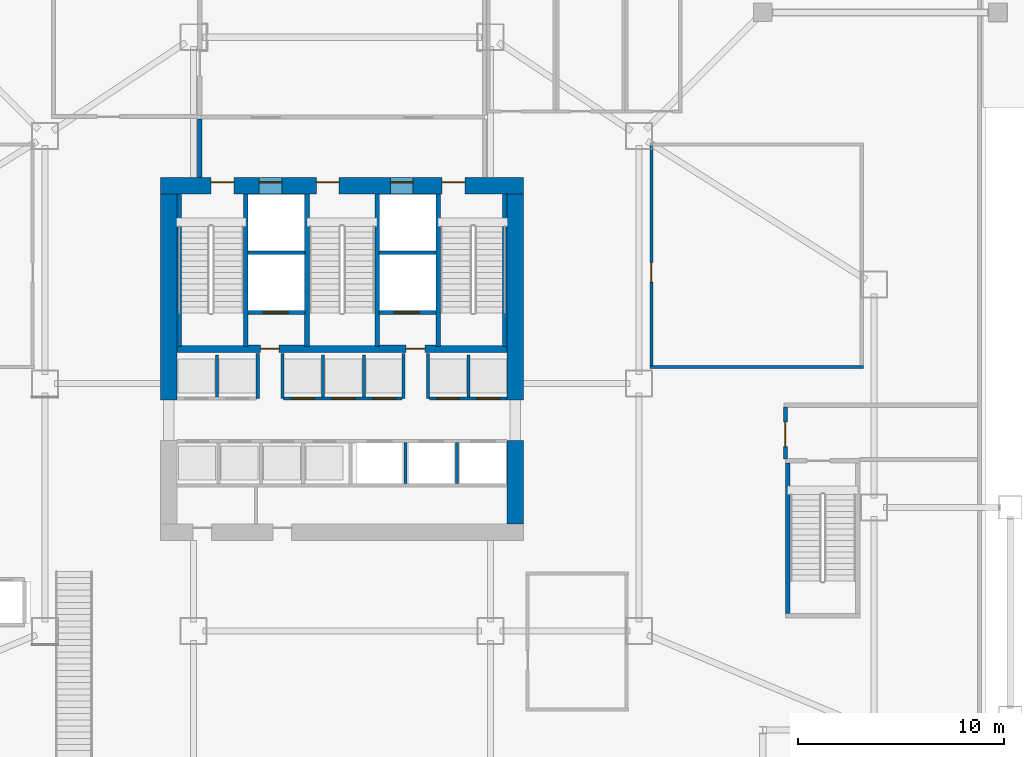
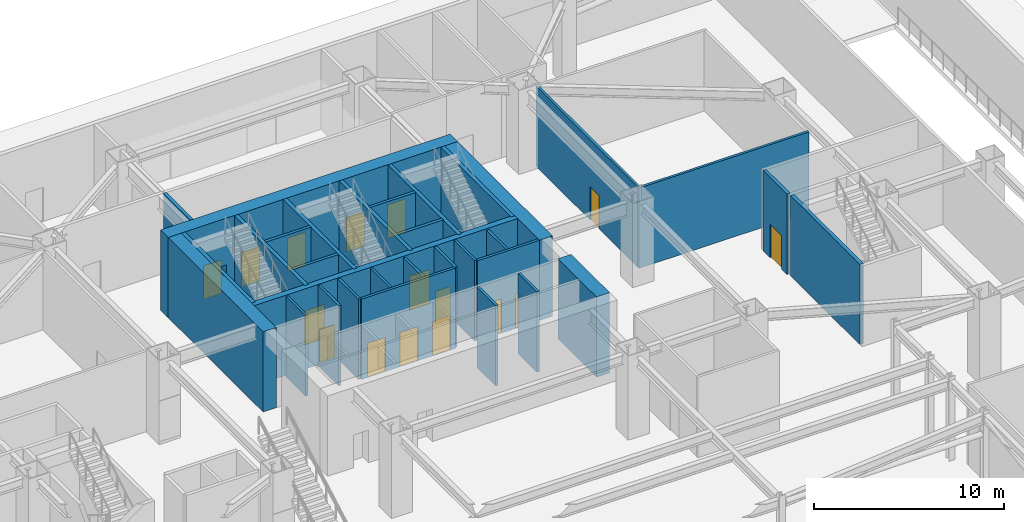
# One storey, part 11 of 20: 32 walls, 16 doors, 16 openings.
"""IFC4 building model written with IfcOpenShell, lengths in metres."""

from ifc_helpers import new_model, si_unit, direction, frame, frame_2d, origin, place, context, subcontext, project, spatial, rectangle, extrude, material, layer, layer_set, type_object, element, fill, save


model = new_model("IFC4")

# Units and contexts
model_context = context("Model", 3, precision=1e-05, world=origin(), true_north=direction((0.0, 1.0)))
body_context = subcontext(model_context, "Body", "Model", "MODEL_VIEW")
ifc_project = project(units=[si_unit("LENGTHUNIT", "METRE"), si_unit("AREAUNIT", "SQUARE_METRE"), si_unit("VOLUMEUNIT", "CUBIC_METRE"), si_unit("PLANEANGLEUNIT", "RADIAN"), si_unit("MASSUNIT", "GRAM", prefix="KILO")], contexts=[model_context])

# Site, building, storey
site_placement = place(None, origin())
site = spatial("IfcSite", under=ifc_project, at=site_placement, CompositionType="ELEMENT")
building_placement = place(site_placement, origin())
building = spatial("IfcBuilding", under=site, at=building_placement, Name="Haolan Belvedere Tower", CompositionType="ELEMENT")
storey_placement = place(building_placement, origin())
storey = spatial("IfcBuildingStorey", under=building, at=storey_placement, Name="L00", CompositionType="ELEMENT", Elevation=0.0)

# Wall, openings, doors
ifc_material_1 = material(Name="Concrete C70/85", Category="concrete")
ifc_layer_1 = layer(ifc_material_1, 0.800048828125, Name="Concrete C70/85")
ifc_layer_set_1 = layer_set([ifc_layer_1], Name="Concrete C70/85")
wall_type_1 = type_object("IfcWallType", Name="WL-CORE-800", PredefinedType="SHEAR", material=ifc_layer_set_1)
wall_1_placement = place(storey_placement, frame((29.60009765625, 43.199951171875, 0.0), z_axis=(0.0, 0.0, 1.0), x_axis=(1.0, 0.0, 0.0)))
wall_1 = element("IfcWall", 1, at=wall_1_placement, inside=storey, type_object=wall_type_1, Name="L00 central core north shear wall", PredefinedType="SHEAR", context=body_context, shape_type="SweptSolid", body=[
    extrude(rectangle(XDim=17.599853515625, YDim=0.800048828125, at=frame_2d((8.7998046875, 0.0))), origin(), (0.0, 0.0, 1.0), 5.159912109375),
])
opening_1_placement = place(wall_1_placement, frame((2.449951171875, 0.0, 0.0)))
opening_1 = element("IfcOpeningElement", 2, at=opening_1_placement, cuts=wall_1, Name="Opening FD-03", PredefinedType="OPENING", context=body_context, shape_type="SweptSolid", body=[
    extrude(rectangle(XDim=1.10009765625, YDim=2.14990234375, at=frame_2d((0.550048828125, 1.074951171875))), frame((0.0, 0.409912109375, 0.0), z_axis=(0.0, -1.0, 0.0), x_axis=(1.0, 0.0, 0.0)), (0.0, 0.0, 1.0), 0.820068359375),
])
opening_2_placement = place(wall_1_placement, frame((7.56005859375, 0.0, 0.0)))
opening_2 = element("IfcOpeningElement", 3, at=opening_2_placement, cuts=wall_1, Name="Opening FD-03", PredefinedType="OPENING", context=body_context, shape_type="SweptSolid", body=[
    extrude(rectangle(XDim=1.10009765625, YDim=2.14990234375, at=frame_2d((0.550048828125, 1.074951171875))), frame((0.0, 0.409912109375, 0.0), z_axis=(0.0, -1.0, 0.0), x_axis=(1.0, 0.0, 0.0)), (0.0, 0.0, 1.0), 0.820068359375),
])
opening_3_placement = place(wall_1_placement, frame((13.64990234375, 0.0, 0.0)))
opening_3 = element("IfcOpeningElement", 4, at=opening_3_placement, cuts=wall_1, Name="Opening FD-03", PredefinedType="OPENING", context=body_context, shape_type="SweptSolid", body=[
    extrude(rectangle(XDim=1.10009765625, YDim=2.14990234375, at=frame_2d((0.550048828125, 1.074951171875))), frame((0.0, 0.409912109375, 0.0), z_axis=(0.0, -1.0, 0.0), x_axis=(1.0, 0.0, 0.0)), (0.0, 0.0, 1.0), 0.820068359375),
])
opening_4_placement = place(wall_1_placement, frame((4.780029296875, 0.0, 0.0)))
opening_4 = element("IfcOpeningElement", 5, at=opening_4_placement, cuts=wall_1, Name="Opening LD-01", PredefinedType="OPENING", context=body_context, shape_type="SweptSolid", body=[
    extrude(rectangle(XDim=1.10009765625, YDim=2.199951171875, at=frame_2d((0.550048828125, 1.10009765625))), frame((0.0, 0.409912109375, 0.0), z_axis=(0.0, -1.0, 0.0), x_axis=(1.0, 0.0, 0.0)), (0.0, 0.0, 1.0), 0.820068359375),
])
opening_5_placement = place(wall_1_placement, frame((11.139892578125, 0.0, 0.0)))
opening_5 = element("IfcOpeningElement", 6, at=opening_5_placement, cuts=wall_1, Name="Opening LD-01", PredefinedType="OPENING", context=body_context, shape_type="SweptSolid", body=[
    extrude(rectangle(XDim=1.10009765625, YDim=2.199951171875, at=frame_2d((0.550048828125, 1.10009765625))), frame((0.0, 0.409912109375, 0.0), z_axis=(0.0, -1.0, 0.0), x_axis=(1.0, 0.0, 0.0)), (0.0, 0.0, 1.0), 0.820068359375),
])
ifc_material_2 = material(Name="Galvanised fire-rated steel", Category="steel")
door_type_1 = type_object("IfcDoorType", Name="DR-FD90-1100", OperationType="NOTDEFINED", PredefinedType="DOOR", material=ifc_material_2)
door_1_placement = place(opening_1_placement, origin())
door_1 = element("IfcDoor", 7, at=door_1_placement, inside=storey, type_object=door_type_1, Name="L00 door CD-L00-ST1", OperationType="SINGLE_SWING_LEFT", OverallHeight=2.14990234375, OverallWidth=1.10009765625, PredefinedType="DOOR", context=body_context, shape_type="SweptSolid", body=[
    extrude(rectangle(XDim=1.10009765625, YDim=2.14990234375, at=frame_2d((0.550048828125, 1.074951171875))), frame((0.0, 0.18505859375, 0.0), z_axis=(0.0, -1.0, 0.0), x_axis=(1.0, 0.0, 0.0)), (0.0, 0.0, 1.0), 0.050048828125),
])
fill(opening_1, door_1)
door_2_placement = place(opening_2_placement, origin())
door_2 = element("IfcDoor", 8, at=door_2_placement, inside=storey, type_object=door_type_1, Name="L00 door CD-L00-ST3", OperationType="SINGLE_SWING_LEFT", OverallHeight=2.14990234375, OverallWidth=1.10009765625, PredefinedType="DOOR", context=body_context, shape_type="SweptSolid", body=[
    extrude(rectangle(XDim=1.10009765625, YDim=2.14990234375, at=frame_2d((0.550048828125, 1.074951171875))), frame((0.0, 0.18505859375, 0.0), z_axis=(0.0, -1.0, 0.0), x_axis=(1.0, 0.0, 0.0)), (0.0, 0.0, 1.0), 0.050048828125),
])
fill(opening_2, door_2)
door_3_placement = place(opening_3_placement, origin())
door_3 = element("IfcDoor", 9, at=door_3_placement, inside=storey, type_object=door_type_1, Name="L00 door CD-L00-ST2", OperationType="SINGLE_SWING_RIGHT", OverallHeight=2.14990234375, OverallWidth=1.10009765625, PredefinedType="DOOR", context=body_context, shape_type="SweptSolid", body=[
    extrude(rectangle(XDim=1.10009765625, YDim=2.14990234375, at=frame_2d((0.550048828125, 1.074951171875))), frame((0.0, 0.18505859375, 0.0), z_axis=(0.0, -1.0, 0.0), x_axis=(1.0, 0.0, 0.0)), (0.0, 0.0, 1.0), 0.050048828125),
])
fill(opening_3, door_3)
ifc_material_3 = material(Name="Brushed champagne stainless steel 316L", Category="steel")
door_type_2 = type_object("IfcDoorType", Name="DR-LIFT-1100", OperationType="SLIDING_TO_LEFT", PredefinedType="DOOR", material=ifc_material_3)
door_4_placement = place(opening_4_placement, origin())
door_4 = element("IfcDoor", 10, at=door_4_placement, inside=storey, type_object=door_type_2, Name="L00 door LD-L00-FF1", OperationType="SLIDING_TO_LEFT", OverallHeight=2.199951171875, OverallWidth=1.10009765625, PredefinedType="DOOR", context=body_context, shape_type="SweptSolid", body=[
    extrude(rectangle(XDim=1.10009765625, YDim=2.199951171875, at=frame_2d((0.550048828125, 1.10009765625))), frame((0.0, 0.18505859375, 0.0), z_axis=(0.0, -1.0, 0.0), x_axis=(1.0, 0.0, 0.0)), (0.0, 0.0, 1.0), 0.050048828125),
])
fill(opening_4, door_4)
door_5_placement = place(opening_5_placement, origin())
door_5 = element("IfcDoor", 11, at=door_5_placement, inside=storey, type_object=door_type_2, Name="L00 door LD-L00-FF2", OperationType="SLIDING_TO_LEFT", OverallHeight=2.199951171875, OverallWidth=1.10009765625, PredefinedType="DOOR", context=body_context, shape_type="SweptSolid", body=[
    extrude(rectangle(XDim=1.10009765625, YDim=2.199951171875, at=frame_2d((0.550048828125, 1.10009765625))), frame((0.0, 0.18505859375, 0.0), z_axis=(0.0, -1.0, 0.0), x_axis=(1.0, 0.0, 0.0)), (0.0, 0.0, 1.0), 0.050048828125),
])
fill(opening_5, door_5)

# Walls
wall_2_placement = place(storey_placement, frame((30.0, 32.800048828125, 0.0), z_axis=(0.0, 0.0, 1.0), x_axis=(0.0, 1.0, 0.0)))
element("IfcWall", 12, at=wall_2_placement, inside=storey, type_object=wall_type_1, Name="L00 central core shear wall WN", PredefinedType="SHEAR", context=body_context, shape_type="SweptSolid", body=[
    extrude(rectangle(XDim=10.0, YDim=0.800048828125, at=frame_2d((5.0, 0.0))), origin(), (0.0, 0.0, 1.0), 5.159912109375),
])
wall_3_placement = place(storey_placement, frame((46.800048828125, 26.800048828125, 0.0), z_axis=(0.0, 0.0, 1.0), x_axis=(0.0, 1.0, 0.0)))
element("IfcWall", 13, at=wall_3_placement, inside=storey, type_object=wall_type_1, Name="L00 central core shear wall ES", PredefinedType="SHEAR", context=body_context, shape_type="SweptSolid", body=[
    extrude(rectangle(XDim=4.050048828125, YDim=0.800048828125, at=frame_2d((2.02490234375, 0.0))), origin(), (0.0, 0.0, 1.0), 5.159912109375),
])
wall_4_placement = place(storey_placement, frame((46.800048828125, 32.800048828125, 0.0), z_axis=(0.0, 0.0, 1.0), x_axis=(0.0, 1.0, 0.0)))
element("IfcWall", 14, at=wall_4_placement, inside=storey, type_object=wall_type_1, Name="L00 central core shear wall EN", PredefinedType="SHEAR", context=body_context, shape_type="SweptSolid", body=[
    extrude(rectangle(XDim=10.0, YDim=0.800048828125, at=frame_2d((5.0, 0.0))), origin(), (0.0, 0.0, 1.0), 5.159912109375),
])
ifc_material_4 = material(Name="Concrete C40/50", Category="concrete")
ifc_layer_2 = layer(ifc_material_4, 0.199951171875, Name="Concrete C40/50")
ifc_layer_set_2 = layer_set([ifc_layer_2], Name="Concrete C40/50")
wall_type_2 = type_object("IfcWallType", Name="WL-FIRE-200", PredefinedType="SOLIDWALL", material=ifc_layer_set_2)
wall_5_placement = place(storey_placement, frame((31.5, 43.60009765625, 0.0), z_axis=(0.0, 0.0, 1.0), x_axis=(0.0, 1.0, 0.0)))
element("IfcWall", 15, at=wall_5_placement, inside=storey, type_object=wall_type_2, Name="L00 interior partition IW-L00-FFL-W", PredefinedType="SOLIDWALL", context=body_context, shape_type="SweptSolid", body=[
    extrude(rectangle(XDim=2.8349609375, YDim=0.199951171875, at=frame_2d((1.41748046875, 0.0))), origin(), (0.0, 0.0, 1.0), 5.159912109375),
])

# Wall, opening, door
wall_6_placement = place(storey_placement, frame((59.89990234375, 29.955078125, 0.0), z_axis=(0.0, 0.0, 1.0), x_axis=(0.0, 1.0, 0.0)))
wall_6 = element("IfcWall", 16, at=wall_6_placement, inside=storey, type_object=wall_type_2, Name="L00 interior partition IW-L00-EXP-E-W", PredefinedType="SOLIDWALL", context=body_context, shape_type="SweptSolid", body=[
    extrude(rectangle(XDim=2.510009765625, YDim=0.199951171875, at=frame_2d((1.2548828125, 0.0))), origin(), (0.0, 0.0, 1.0), 5.159912109375),
])
opening_6_placement = place(wall_6_placement, frame((0.5849609375, 0.0, 0.0)))
opening_6 = element("IfcOpeningElement", 17, at=opening_6_placement, cuts=wall_6, Name="Opening FD-02", PredefinedType="OPENING", context=body_context, shape_type="SweptSolid", body=[
    extrude(rectangle(XDim=1.199951171875, YDim=2.14990234375, at=frame_2d((0.60009765625, 1.074951171875))), frame((0.0, 0.10986328125, 0.0), z_axis=(0.0, -1.0, 0.0), x_axis=(1.0, 0.0, 0.0)), (0.0, 0.0, 1.0), 0.219970703125),
])
door_type_3 = type_object("IfcDoorType", Name="DR-FD90-1200", OperationType="NOTDEFINED", PredefinedType="DOOR", material=ifc_material_2)
door_6_placement = place(opening_6_placement, origin())
door_6 = element("IfcDoor", 18, at=door_6_placement, inside=storey, type_object=door_type_3, Name="L00 door ID-L00-EXP-E", OperationType="SINGLE_SWING_LEFT", OverallHeight=2.14990234375, OverallWidth=1.199951171875, PredefinedType="DOOR", context=body_context, shape_type="SweptSolid", body=[
    extrude(rectangle(XDim=1.199951171875, YDim=2.14990234375, at=frame_2d((0.60009765625, 1.074951171875))), frame((0.0, 0.02490234375, 0.0), z_axis=(0.0, -1.0, 0.0), x_axis=(1.0, 0.0, 0.0)), (0.0, 0.0, 1.0), 0.050048828125),
])
fill(opening_6, door_6)

# Wall
ifc_material_5 = material(Name="Double gypsum acoustic stud partition", Category="masonry")
ifc_layer_3 = layer(ifc_material_5, 0.14990234375, Name="Double gypsum acoustic stud partition")
ifc_layer_set_3 = layer_set([ifc_layer_3], Name="Double gypsum acoustic stud partition")
wall_type_3 = type_object("IfcWallType", Name="WL-PART-150", PredefinedType="PARTITIONING", material=ifc_layer_set_3)
wall_7_placement = place(storey_placement, frame((53.320068359375, 34.39990234375, 0.0), z_axis=(0.0, 0.0, 1.0), x_axis=(1.0, 0.0, 0.0)))
element("IfcWall", 19, at=wall_7_placement, inside=storey, type_object=wall_type_3, Name="L00 interior partition IW-L00-CONC-S", PredefinedType="PARTITIONING", context=body_context, shape_type="SweptSolid", body=[
    extrude(rectangle(XDim=10.35986328125, YDim=0.14990234375, at=frame_2d((5.179931640625, 0.0))), origin(), (0.0, 0.0, 1.0), 5.159912109375),
])

# Wall, opening, door
wall_8_placement = place(storey_placement, frame((53.39990234375, 34.4599609375, 0.0), z_axis=(0.0, 0.0, 1.0), x_axis=(0.0, 1.0, 0.0)))
wall_8 = element("IfcWall", 20, at=wall_8_placement, inside=storey, type_object=wall_type_3, Name="L00 interior partition IW-L00-CONC-W", PredefinedType="PARTITIONING", context=body_context, shape_type="SweptSolid", body=[
    extrude(rectangle(XDim=10.679931640625, YDim=0.14990234375, at=frame_2d((5.33984375, 0.0))), origin(), (0.0, 0.0, 1.0), 5.159912109375),
])
opening_7_placement = place(wall_8_placement, frame((4.06005859375, 0.0, 0.0)))
opening_7 = element("IfcOpeningElement", 21, at=opening_7_placement, cuts=wall_8, Name="Opening ID-03", PredefinedType="OPENING", context=body_context, shape_type="SweptSolid", body=[
    extrude(rectangle(XDim=0.949951171875, YDim=2.1201171875, at=frame_2d((0.47509765625, 1.06005859375))), frame((0.0, 0.0849609375, 0.0), z_axis=(0.0, -1.0, 0.0), x_axis=(1.0, 0.0, 0.0)), (0.0, 0.0, 1.0), 0.169921875),
])
ifc_material_6 = material(Name="Painted solid-core timber", Category="wood")
door_type_4 = type_object("IfcDoorType", Name="DR-INT-950", OperationType="NOTDEFINED", PredefinedType="DOOR", material=ifc_material_6)
door_7_placement = place(opening_7_placement, origin())
door_7 = element("IfcDoor", 22, at=door_7_placement, inside=storey, type_object=door_type_4, Name="L00 door ID-L00-CONC", OperationType="SINGLE_SWING_RIGHT", OverallHeight=2.1201171875, OverallWidth=0.949951171875, PredefinedType="DOOR", context=body_context, shape_type="SweptSolid", body=[
    extrude(rectangle(XDim=0.949951171875, YDim=2.1201171875, at=frame_2d((0.47509765625, 1.06005859375))), frame((0.0, 0.02490234375, 0.0), z_axis=(0.0, -1.0, 0.0), x_axis=(1.0, 0.0, 0.0)), (0.0, 0.0, 1.0), 0.050048828125),
])
fill(opening_7, door_7)

# Walls
ifc_material_7 = material(Name="Gypsum fire shaftwall assembly", Category="masonry")
ifc_layer_4 = layer(ifc_material_7, 0.1650390625, Name="Gypsum fire shaftwall assembly")
ifc_layer_set_4 = layer_set([ifc_layer_4], Name="Gypsum fire shaftwall assembly")
wall_type_4 = type_object("IfcWallType", Name="WL-SHAFT-160", PredefinedType="SOLIDWALL", material=ifc_layer_set_4)
for number, where, z_axis, x_axis, name in (
    (23, (34.31005859375, 32.8798828125, 0.0), (0.0, 0.0, 1.0), (0.0, 1.0, 0.0), "L00 interior partition IW-L00-SVP-W-SV1"),
    (24, (35.510009765625, 32.8798828125, 0.0), (0.0, 0.0, 1.0), (0.0, 1.0, 0.0), "L00 interior partition IW-L00-SVP-E-SV1"),
    (25, (41.3701171875, 32.8798828125, 0.0), (0.0, 0.0, 1.0), (0.0, 1.0, 0.0), "L00 interior partition IW-L00-SVP-W-SV2"),
    (26, (42.570068359375, 32.8798828125, 0.0), (0.0, 0.0, 1.0), (0.0, 1.0, 0.0), "L00 interior partition IW-L00-SVP-E-SV2"),
):
    element("IfcWall", number, at=place(storey_placement, frame(where, z_axis=z_axis, x_axis=x_axis)), inside=storey, type_object=wall_type_4, Name=name, PredefinedType="SOLIDWALL", context=body_context, shape_type="SweptSolid", body=[
        extrude(rectangle(XDim=2.170166015625, YDim=0.14990234375, at=frame_2d((1.0849609375, 0.0))), origin(), (0.0, 0.0, 1.0), 5.159912109375),
    ])

# Wall, openings, doors
wall_9_placement = place(storey_placement, frame((35.570068359375, 32.8798828125, 0.0), z_axis=(0.0, 0.0, 1.0), x_axis=(1.0, 0.0, 0.0)))
wall_9 = element("IfcWall", 27, at=wall_9_placement, inside=storey, type_object=wall_type_4, Name="L00 interior partition IW-L00-ROW-PN2", PredefinedType="SOLIDWALL", context=body_context, shape_type="SweptSolid", body=[
    extrude(rectangle(XDim=5.739990234375, YDim=0.159912109375, at=frame_2d((2.8701171875, 0.0))), origin(), (0.0, 0.0, 1.0), 5.159912109375),
])
opening_8_placement = place(wall_9_placement, frame((1.47021484375, 0.0, 0.0), z_axis=(0.0, 0.0, 1.0), x_axis=(-1.0, 0.0, 0.0)))
opening_8 = element("IfcOpeningElement", 28, at=opening_8_placement, cuts=wall_9, Name="Opening LD-01", PredefinedType="OPENING", context=body_context, shape_type="SweptSolid", body=[
    extrude(rectangle(XDim=1.10009765625, YDim=2.199951171875, at=frame_2d((0.550048828125, 1.10009765625))), frame((0.0, 0.08984375, 0.0), z_axis=(0.0, -1.0, 0.0), x_axis=(1.0, 0.0, 0.0)), (0.0, 0.0, 1.0), 0.179931640625),
])
opening_9_placement = place(wall_9_placement, frame((3.460205078125, 0.0, 0.0), z_axis=(0.0, 0.0, 1.0), x_axis=(-1.0, 0.0, 0.0)))
opening_9 = element("IfcOpeningElement", 29, at=opening_9_placement, cuts=wall_9, Name="Opening LD-01", PredefinedType="OPENING", context=body_context, shape_type="SweptSolid", body=[
    extrude(rectangle(XDim=1.10009765625, YDim=2.199951171875, at=frame_2d((0.550048828125, 1.10009765625))), frame((0.0, 0.08984375, 0.0), z_axis=(0.0, -1.0, 0.0), x_axis=(1.0, 0.0, 0.0)), (0.0, 0.0, 1.0), 0.179931640625),
])
opening_10_placement = place(wall_9_placement, frame((5.43017578125, 0.0, 0.0), z_axis=(0.0, 0.0, 1.0), x_axis=(-1.0, 0.0, 0.0)))
opening_10 = element("IfcOpeningElement", 30, at=opening_10_placement, cuts=wall_9, Name="Opening LD-01", PredefinedType="OPENING", context=body_context, shape_type="SweptSolid", body=[
    extrude(rectangle(XDim=1.10009765625, YDim=2.199951171875, at=frame_2d((0.550048828125, 1.10009765625))), frame((0.0, 0.08984375, 0.0), z_axis=(0.0, -1.0, 0.0), x_axis=(1.0, 0.0, 0.0)), (0.0, 0.0, 1.0), 0.179931640625),
])
door_8_placement = place(opening_8_placement, origin())
door_8 = element("IfcDoor", 31, at=door_8_placement, inside=storey, type_object=door_type_2, Name="L00 door ID-L00-LD-PL3", OperationType="SLIDING_TO_LEFT", OverallHeight=2.199951171875, OverallWidth=1.10009765625, PredefinedType="DOOR", context=body_context, shape_type="SweptSolid", body=[
    extrude(rectangle(XDim=1.10009765625, YDim=2.199951171875, at=frame_2d((0.550048828125, 1.10009765625))), frame((0.0, 0.02490234375, 0.0), z_axis=(0.0, -1.0, 0.0), x_axis=(1.0, 0.0, 0.0)), (0.0, 0.0, 1.0), 0.050048828125),
])
fill(opening_8, door_8)
door_9_placement = place(opening_9_placement, origin())
door_9 = element("IfcDoor", 32, at=door_9_placement, inside=storey, type_object=door_type_2, Name="L00 door ID-L00-LD-PL4", OperationType="SLIDING_TO_LEFT", OverallHeight=2.199951171875, OverallWidth=1.10009765625, PredefinedType="DOOR", context=body_context, shape_type="SweptSolid", body=[
    extrude(rectangle(XDim=1.10009765625, YDim=2.199951171875, at=frame_2d((0.550048828125, 1.10009765625))), frame((0.0, 0.02490234375, 0.0), z_axis=(0.0, -1.0, 0.0), x_axis=(1.0, 0.0, 0.0)), (0.0, 0.0, 1.0), 0.050048828125),
])
fill(opening_9, door_9)
door_10_placement = place(opening_10_placement, origin())
door_10 = element("IfcDoor", 33, at=door_10_placement, inside=storey, type_object=door_type_2, Name="L00 door ID-L00-LD-PH1", OperationType="SLIDING_TO_RIGHT", OverallHeight=2.199951171875, OverallWidth=1.10009765625, PredefinedType="DOOR", context=body_context, shape_type="SweptSolid", body=[
    extrude(rectangle(XDim=1.10009765625, YDim=2.199951171875, at=frame_2d((0.550048828125, 1.10009765625))), frame((0.0, 0.02490234375, 0.0), z_axis=(0.0, -1.0, 0.0), x_axis=(1.0, 0.0, 0.0)), (0.0, 0.0, 1.0), 0.050048828125),
])
fill(opening_10, door_10)

wall_10_placement = place(storey_placement, frame((42.6298828125, 32.8798828125, 0.0), z_axis=(0.0, 0.0, 1.0), x_axis=(1.0, 0.0, 0.0)))
wall_10 = element("IfcWall", 34, at=wall_10_placement, inside=storey, type_object=wall_type_4, Name="L00 interior partition IW-L00-ROW-PN3", PredefinedType="SOLIDWALL", context=body_context, shape_type="SweptSolid", body=[
    extrude(rectangle(XDim=3.77001953125, YDim=0.159912109375, at=frame_2d((1.885009765625, 0.0))), origin(), (0.0, 0.0, 1.0), 5.159912109375),
])
opening_11_placement = place(wall_10_placement, frame((1.4501953125, 0.0, 0.0), z_axis=(0.0, 0.0, 1.0), x_axis=(-1.0, 0.0, 0.0)))
opening_11 = element("IfcOpeningElement", 35, at=opening_11_placement, cuts=wall_10, Name="Opening LD-01", PredefinedType="OPENING", context=body_context, shape_type="SweptSolid", body=[
    extrude(rectangle(XDim=1.10009765625, YDim=2.199951171875, at=frame_2d((0.550048828125, 1.10009765625))), frame((0.0, 0.08984375, 0.0), z_axis=(0.0, -1.0, 0.0), x_axis=(1.0, 0.0, 0.0)), (0.0, 0.0, 1.0), 0.179931640625),
])
opening_12_placement = place(wall_10_placement, frame((3.41015625, 0.0, 0.0), z_axis=(0.0, 0.0, 1.0), x_axis=(-1.0, 0.0, 0.0)))
opening_12 = element("IfcOpeningElement", 36, at=opening_12_placement, cuts=wall_10, Name="Opening LD-01", PredefinedType="OPENING", context=body_context, shape_type="SweptSolid", body=[
    extrude(rectangle(XDim=1.10009765625, YDim=2.199951171875, at=frame_2d((0.550048828125, 1.10009765625))), frame((0.0, 0.08984375, 0.0), z_axis=(0.0, -1.0, 0.0), x_axis=(1.0, 0.0, 0.0)), (0.0, 0.0, 1.0), 0.179931640625),
])
door_11_placement = place(opening_11_placement, origin())
door_11 = element("IfcDoor", 37, at=door_11_placement, inside=storey, type_object=door_type_2, Name="L00 door ID-L00-LD-PH2", OperationType="SLIDING_TO_RIGHT", OverallHeight=2.199951171875, OverallWidth=1.10009765625, PredefinedType="DOOR", context=body_context, shape_type="SweptSolid", body=[
    extrude(rectangle(XDim=1.10009765625, YDim=2.199951171875, at=frame_2d((0.550048828125, 1.10009765625))), frame((0.0, 0.02490234375, 0.0), z_axis=(0.0, -1.0, 0.0), x_axis=(1.0, 0.0, 0.0)), (0.0, 0.0, 1.0), 0.050048828125),
])
fill(opening_11, door_11)
door_12_placement = place(opening_12_placement, origin())
door_12 = element("IfcDoor", 38, at=door_12_placement, inside=storey, type_object=door_type_2, Name="L00 door ID-L00-LD-PH3", OperationType="SLIDING_TO_RIGHT", OverallHeight=2.199951171875, OverallWidth=1.10009765625, PredefinedType="DOOR", context=body_context, shape_type="SweptSolid", body=[
    extrude(rectangle(XDim=1.10009765625, YDim=2.199951171875, at=frame_2d((0.550048828125, 1.10009765625))), frame((0.0, 0.02490234375, 0.0), z_axis=(0.0, -1.0, 0.0), x_axis=(1.0, 0.0, 0.0)), (0.0, 0.0, 1.0), 0.050048828125),
])
fill(opening_12, door_12)

# Walls
for number, where, z_axis, x_axis, name in (
    (39, (32.340087890625, 32.949951171875, 0.0), (0.0, 0.0, 1.0), (0.0, 1.0, 0.0), "L00 interior partition IW-L00-DIV-PL1"),
    (40, (37.47998046875, 32.949951171875, 0.0), (0.0, 0.0, 1.0), (0.0, 1.0, 0.0), "L00 interior partition IW-L00-DIV-PL3"),
    (41, (39.469970703125, 32.949951171875, 0.0), (0.0, 0.0, 1.0), (0.0, 1.0, 0.0), "L00 interior partition IW-L00-DIV-PL4"),
    (42, (44.530029296875, 32.949951171875, 0.0), (0.0, 0.0, 1.0), (0.0, 1.0, 0.0), "L00 interior partition IW-L00-DIV-PH2"),
):
    element("IfcWall", number, at=place(storey_placement, frame(where, z_axis=z_axis, x_axis=x_axis)), inside=storey, type_object=wall_type_4, Name=name, PredefinedType="SOLIDWALL", context=body_context, shape_type="SweptSolid", body=[
        extrude(rectangle(XDim=2.050048828125, YDim=0.14990234375, at=frame_2d((1.02490234375, 0.0))), origin(), (0.0, 0.0, 1.0), 5.159912109375),
    ])
for number, where, z_axis, x_axis, name in (
    (43, (41.469970703125, 28.75, 0.0), (0.0, 0.0, 1.0), (0.0, 1.0, 0.0), "L00 interior partition IW-L00-DIV-OB1"),
    (44, (43.97998046875, 28.75, 0.0), (0.0, 0.0, 1.0), (0.0, 1.0, 0.0), "L00 interior partition IW-L00-DIV-OB2"),
):
    element("IfcWall", number, at=place(storey_placement, frame(where, z_axis=z_axis, x_axis=x_axis)), inside=storey, type_object=wall_type_4, Name=name, PredefinedType="SOLIDWALL", context=body_context, shape_type="SweptSolid", body=[
        extrude(rectangle(XDim=1.985107421875, YDim=0.14990234375, at=frame_2d((0.99267578125, 0.0))), origin(), (0.0, 0.0, 1.0), 5.159912109375),
    ])
ifc_material_8 = material(Name="Precast concrete C40/50", Category="concrete")
ifc_layer_5 = layer(ifc_material_8, 0.179931640625, Name="Precast concrete C40/50")
ifc_layer_set_5 = layer_set([ifc_layer_5], Name="Precast concrete C40/50")
wall_type_5 = type_object("IfcWallType", Name="WL-SHAFT-180", PredefinedType="SOLIDWALL", material=ifc_layer_set_5)
for number, where, z_axis, x_axis, name in (
    (45, (33.8349609375, 39.949951171875, 0.0), (0.0, 0.0, 1.0), (1.0, 0.0, 0.0), "L00 interior partition IW-L00-FF1-S"),
    (46, (40.195068359375, 39.949951171875, 0.0), (0.0, 0.0, 1.0), (1.0, 0.0, 0.0), "L00 interior partition IW-L00-FF2-S"),
):
    element("IfcWall", number, at=place(storey_placement, frame(where, z_axis=z_axis, x_axis=x_axis)), inside=storey, type_object=wall_type_5, Name=name, PredefinedType="SOLIDWALL", context=body_context, shape_type="SweptSolid", body=[
        extrude(rectangle(XDim=2.77001953125, YDim=0.179931640625, at=frame_2d((1.385009765625, 0.0))), origin(), (0.0, 0.0, 1.0), 5.159912109375),
    ])

# Wall, opening, door
wall_11_placement = place(storey_placement, frame((33.8349609375, 37.050048828125, 0.0), z_axis=(0.0, 0.0, 1.0), x_axis=(1.0, 0.0, 0.0)))
wall_11 = element("IfcWall", 47, at=wall_11_placement, inside=storey, type_object=wall_type_5, Name="L00 interior partition IW-L00-SV1-S", PredefinedType="SOLIDWALL", context=body_context, shape_type="SweptSolid", body=[
    extrude(rectangle(XDim=2.77001953125, YDim=0.179931640625, at=frame_2d((1.385009765625, 0.0))), origin(), (0.0, 0.0, 1.0), 5.159912109375),
])
opening_13_placement = place(wall_11_placement, frame((1.945068359375, 0.0, 0.0), z_axis=(0.0, 0.0, 1.0), x_axis=(-1.0, 0.0, 0.0)))
opening_13 = element("IfcOpeningElement", 48, at=opening_13_placement, cuts=wall_11, Name="Opening LD-02", PredefinedType="OPENING", context=body_context, shape_type="SweptSolid", body=[
    extrude(rectangle(XDim=1.199951171875, YDim=2.199951171875, at=frame_2d((0.60009765625, 1.10009765625))), frame((0.0, 0.099853515625, 0.0), z_axis=(0.0, -1.0, 0.0), x_axis=(1.0, 0.0, 0.0)), (0.0, 0.0, 1.0), 0.199951171875),
])
door_type_5 = type_object("IfcDoorType", Name="DR-LIFT-1200", OperationType="SLIDING_TO_RIGHT", PredefinedType="DOOR", material=ifc_material_3)
door_13_placement = place(opening_13_placement, origin())
door_13 = element("IfcDoor", 49, at=door_13_placement, inside=storey, type_object=door_type_5, Name="L00 door ID-L00-LD-SV1", OperationType="SLIDING_TO_RIGHT", OverallHeight=2.199951171875, OverallWidth=1.199951171875, PredefinedType="DOOR", context=body_context, shape_type="SweptSolid", body=[
    extrude(rectangle(XDim=1.199951171875, YDim=2.199951171875, at=frame_2d((0.60009765625, 1.10009765625))), frame((0.0, 0.02490234375, 0.0), z_axis=(0.0, -1.0, 0.0), x_axis=(1.0, 0.0, 0.0)), (0.0, 0.0, 1.0), 0.050048828125),
])
fill(opening_13, door_13)

wall_12_placement = place(storey_placement, frame((40.195068359375, 37.050048828125, 0.0), z_axis=(0.0, 0.0, 1.0), x_axis=(1.0, 0.0, 0.0)))
wall_12 = element("IfcWall", 50, at=wall_12_placement, inside=storey, type_object=wall_type_5, Name="L00 interior partition IW-L00-SV2-S", PredefinedType="SOLIDWALL", context=body_context, shape_type="SweptSolid", body=[
    extrude(rectangle(XDim=2.77001953125, YDim=0.179931640625, at=frame_2d((1.385009765625, 0.0))), origin(), (0.0, 0.0, 1.0), 5.159912109375),
])
opening_14_placement = place(wall_12_placement, frame((1.945068359375, 0.0, 0.0), z_axis=(0.0, 0.0, 1.0), x_axis=(-1.0, 0.0, 0.0)))
opening_14 = element("IfcOpeningElement", 51, at=opening_14_placement, cuts=wall_12, Name="Opening LD-02", PredefinedType="OPENING", context=body_context, shape_type="SweptSolid", body=[
    extrude(rectangle(XDim=1.199951171875, YDim=2.199951171875, at=frame_2d((0.60009765625, 1.10009765625))), frame((0.0, 0.099853515625, 0.0), z_axis=(0.0, -1.0, 0.0), x_axis=(1.0, 0.0, 0.0)), (0.0, 0.0, 1.0), 0.199951171875),
])
door_14_placement = place(opening_14_placement, origin())
door_14 = element("IfcDoor", 52, at=door_14_placement, inside=storey, type_object=door_type_5, Name="L00 door ID-L00-LD-SV2", OperationType="SLIDING_TO_RIGHT", OverallHeight=2.199951171875, OverallWidth=1.199951171875, PredefinedType="DOOR", context=body_context, shape_type="SweptSolid", body=[
    extrude(rectangle(XDim=1.199951171875, YDim=2.199951171875, at=frame_2d((0.60009765625, 1.10009765625))), frame((0.0, 0.02490234375, 0.0), z_axis=(0.0, -1.0, 0.0), x_axis=(1.0, 0.0, 0.0)), (0.0, 0.0, 1.0), 0.050048828125),
])
fill(opening_14, door_14)

# Walls
ifc_material_9 = material(Name="Concrete C50/60", Category="concrete")
ifc_layer_6 = layer(ifc_material_9, 0.219970703125, Name="Concrete C50/60")
ifc_layer_set_6 = layer_set([ifc_layer_6], Name="Concrete C50/60")
wall_type_6 = type_object("IfcWallType", Name="WL-STAIR-220", PredefinedType="SHEAR", material=ifc_layer_set_6)
for number, where, z_axis, x_axis, name in (
    (53, (30.511962890625, 35.389892578125, 0.0), (0.0, 0.0, 1.0), (0.0, 1.0, 0.0), "L00 structural stair core wall ST1W"),
    (54, (33.739990234375, 35.389892578125, 0.0), (0.0, 0.0, 1.0), (0.0, 1.0, 0.0), "L00 structural stair core wall ST1E"),
    (55, (36.699951171875, 35.389892578125, 0.0), (0.0, 0.0, 1.0), (0.0, 1.0, 0.0), "L00 structural stair core wall ST3W"),
    (56, (40.10009765625, 35.389892578125, 0.0), (0.0, 0.0, 1.0), (0.0, 1.0, 0.0), "L00 structural stair core wall ST3E"),
    (57, (43.06005859375, 35.389892578125, 0.0), (0.0, 0.0, 1.0), (0.0, 1.0, 0.0), "L00 structural stair core wall ST2W"),
    (58, (46.2880859375, 35.389892578125, 0.0), (0.0, 0.0, 1.0), (0.0, 1.0, 0.0), "L00 structural stair core wall ST2E"),
):
    element("IfcWall", number, at=place(storey_placement, frame(where, z_axis=z_axis, x_axis=x_axis)), inside=storey, type_object=wall_type_6, Name=name, PredefinedType="SHEAR", context=body_context, shape_type="SweptSolid", body=[
        extrude(rectangle(XDim=7.41015625, YDim=0.219970703125, at=frame_2d((3.705078125, 0.0))), origin(), (0.0, 0.0, 1.0), 5.159912109375),
    ])
wall_13_placement = place(storey_placement, frame((60.010009765625, 22.449951171875, 0.0), z_axis=(0.0, 0.0, 1.0), x_axis=(0.0, 1.0, 0.0)))
element("IfcWall", 59, at=wall_13_placement, inside=storey, type_object=wall_type_6, Name="L00 podium stair ST5 structural shaft wall W", PredefinedType="SHEAR", context=body_context, shape_type="SweptSolid", body=[
    extrude(rectangle(XDim=7.300048828125, YDim=0.219970703125, at=frame_2d((3.64990234375, 0.0))), origin(), (0.0, 0.0, 1.0), 5.159912109375),
])

# Wall, openings, doors
ifc_material_10 = material(Name="Concrete C60/75", Category="concrete")
ifc_layer_7 = layer(ifc_material_10, 0.360107421875, Name="Concrete C60/75")
ifc_layer_set_7 = layer_set([ifc_layer_7], Name="Concrete C60/75")
wall_type_7 = type_object("IfcWallType", Name="WL-WEB-350", PredefinedType="SHEAR", material=ifc_layer_set_7)
wall_14_placement = place(storey_placement, frame((30.39990234375, 35.2900390625, 0.0), z_axis=(0.0, 0.0, 1.0), x_axis=(1.0, 0.0, 0.0)))
wall_14 = element("IfcWall", 60, at=wall_14_placement, inside=storey, type_object=wall_type_7, Name="L00 central core internal shear web", PredefinedType="SHEAR", context=body_context, shape_type="SweptSolid", body=[
    extrude(rectangle(XDim=16.0, YDim=0.360107421875, at=frame_2d((8.0, 0.0))), origin(), (0.0, 0.0, 1.0), 5.159912109375),
])
opening_15_placement = place(wall_14_placement, frame((4.949951171875, 0.0, 0.0), z_axis=(0.0, 0.0, 1.0), x_axis=(-1.0, 0.0, 0.0)))
opening_15 = element("IfcOpeningElement", 61, at=opening_15_placement, cuts=wall_14, Name="Opening FD-05", PredefinedType="OPENING", context=body_context, shape_type="SweptSolid", body=[
    extrude(rectangle(XDim=0.89990234375, YDim=2.10009765625, at=frame_2d((0.449951171875, 1.050048828125))), frame((0.0, 0.18994140625, 0.0), z_axis=(0.0, -1.0, 0.0), x_axis=(1.0, 0.0, 0.0)), (0.0, 0.0, 1.0), 0.380126953125),
])
opening_16_placement = place(wall_14_placement, frame((12.010009765625, 0.0, 0.0), z_axis=(0.0, 0.0, 1.0), x_axis=(-1.0, 0.0, 0.0)))
opening_16 = element("IfcOpeningElement", 62, at=opening_16_placement, cuts=wall_14, Name="Opening FD-05", PredefinedType="OPENING", context=body_context, shape_type="SweptSolid", body=[
    extrude(rectangle(XDim=0.89990234375, YDim=2.10009765625, at=frame_2d((0.449951171875, 1.050048828125))), frame((0.0, 0.18994140625, 0.0), z_axis=(0.0, -1.0, 0.0), x_axis=(1.0, 0.0, 0.0)), (0.0, 0.0, 1.0), 0.380126953125),
])
door_type_6 = type_object("IfcDoorType", Name="DR-FD60-900", OperationType="NOTDEFINED", PredefinedType="DOOR", material=ifc_material_2)
door_15_placement = place(opening_15_placement, origin())
door_15 = element("IfcDoor", 63, at=door_15_placement, inside=storey, type_object=door_type_6, Name="L00 door CD-L00-SVL-SV1", OperationType="SINGLE_SWING_RIGHT", OverallHeight=2.10009765625, OverallWidth=0.89990234375, PredefinedType="DOOR", context=body_context, shape_type="SweptSolid", body=[
    extrude(rectangle(XDim=0.89990234375, YDim=2.10009765625, at=frame_2d((0.449951171875, 1.050048828125))), frame((0.0, 0.02490234375, 0.0), z_axis=(0.0, -1.0, 0.0), x_axis=(1.0, 0.0, 0.0)), (0.0, 0.0, 1.0), 0.050048828125),
])
fill(opening_15, door_15)
door_16_placement = place(opening_16_placement, origin())
door_16 = element("IfcDoor", 64, at=door_16_placement, inside=storey, type_object=door_type_6, Name="L00 door CD-L00-SVL-SV2", OperationType="SINGLE_SWING_RIGHT", OverallHeight=2.10009765625, OverallWidth=0.89990234375, PredefinedType="DOOR", context=body_context, shape_type="SweptSolid", body=[
    extrude(rectangle(XDim=0.89990234375, YDim=2.10009765625, at=frame_2d((0.449951171875, 1.050048828125))), frame((0.0, 0.02490234375, 0.0), z_axis=(0.0, -1.0, 0.0), x_axis=(1.0, 0.0, 0.0)), (0.0, 0.0, 1.0), 0.050048828125),
])
fill(opening_16, door_16)

save(model, "model.ifc")
